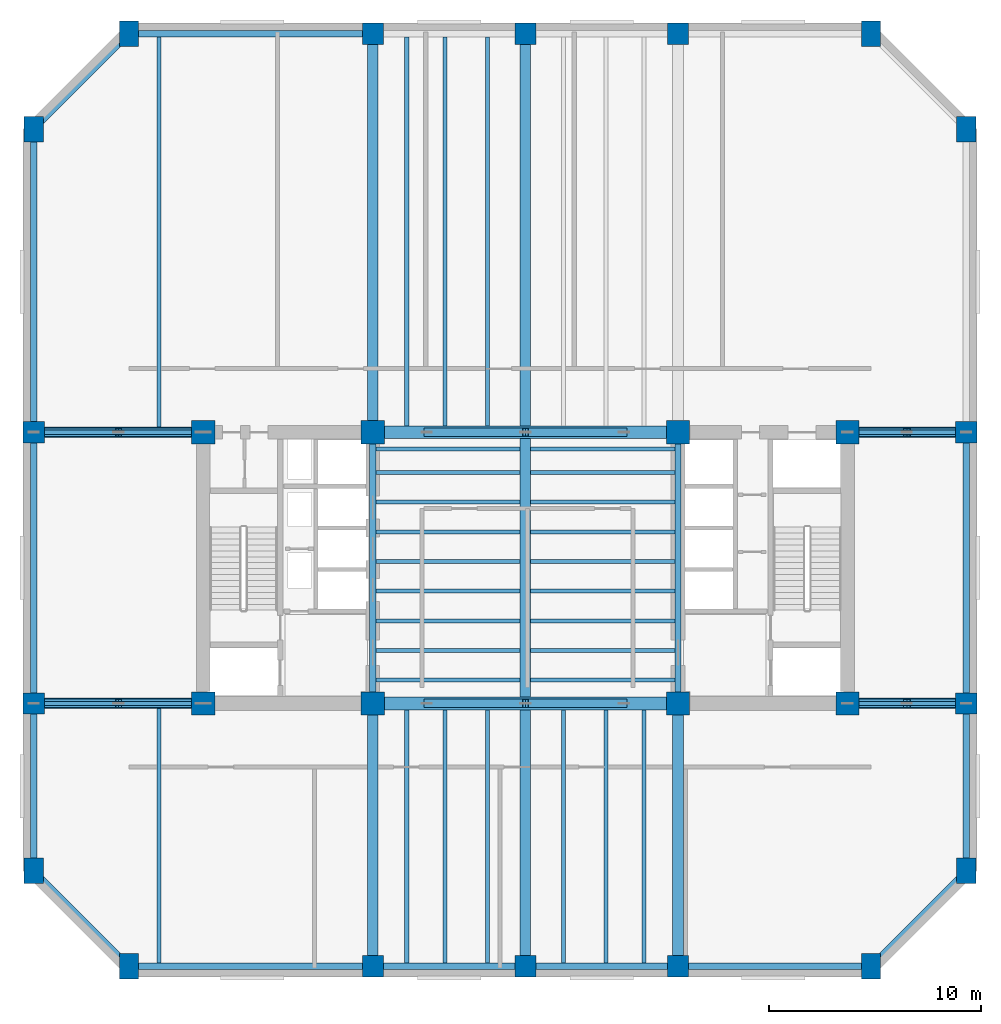
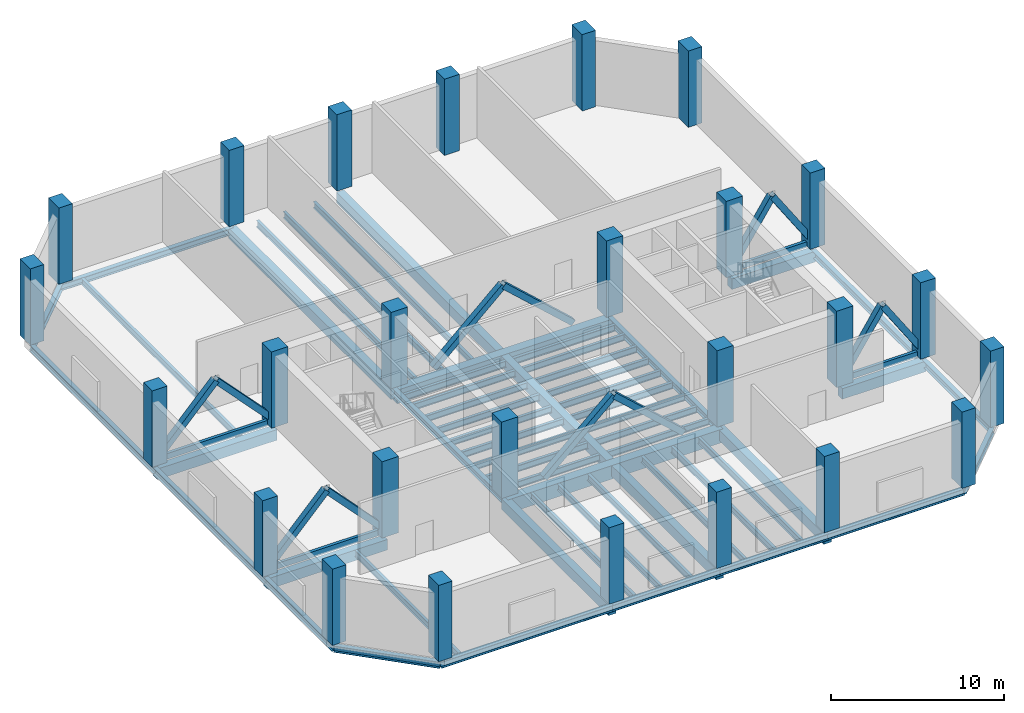
# One storey, part 1 of 9: 56 beams, 26 columns, 16 members.
"""IFC4 building model written with IfcOpenShell, lengths in metres."""

from ifc_helpers import new_model, si_unit, direction, frame, origin, origin_2d, place, context, subcontext, project, spatial, rectangle, hollow_rectangle, i_section, extrude, material, material_profile, profile_set, type_object, element, save


model = new_model("IFC4")

# Units and contexts
model_context = context("Model", 3, precision=1e-05, world=origin(), true_north=direction((0.0, 1.0)))
body_context = subcontext(model_context, "Body", "Model", "MODEL_VIEW")
ifc_project = project(units=[si_unit("LENGTHUNIT", "METRE"), si_unit("AREAUNIT", "SQUARE_METRE"), si_unit("VOLUMEUNIT", "CUBIC_METRE"), si_unit("PLANEANGLEUNIT", "RADIAN"), si_unit("MASSUNIT", "GRAM", prefix="KILO")], contexts=[model_context])

# Site, building, storey
site_placement = place(None, origin())
site = spatial("IfcSite", under=ifc_project, at=site_placement, CompositionType="ELEMENT")
building_placement = place(site_placement, origin())
building = spatial("IfcBuilding", under=site, at=building_placement, Name="Kranthara Brick Stack", CompositionType="ELEMENT")
storey_placement = place(building_placement, frame((0.0, 0.0, 110.10009765625)))
storey = spatial("IfcBuildingStorey", under=building, at=storey_placement, Name="L27", CompositionType="ELEMENT", Elevation=110.10009765625)

# Columns
ifc_material_1 = material(Name="Concrete C70/85", Category="concrete")
ifc_material_profile_1 = material_profile(ifc_material_1, rectangle(XDim=0.89990234375, YDim=1.199951171875, at=origin_2d()), Name="RC 900x1200")
ifc_profile_set_1 = profile_set([ifc_material_profile_1], Name="Concrete C70/85")
column_type_1 = type_object("IfcColumnType", Name="COL-CHAM-900x1200", PredefinedType="COLUMN", material=ifc_profile_set_1)
for number, where, z_axis, x_axis, name in (
    (1, (9.300048828125, 8.39990234375, 0.0), (0.0, 0.0, 1.0), (1.0, 0.0, 0.0), "L27 Column 09"),
    (2, (9.300048828125, 52.39990234375, 0.0), (0.0, 0.0, 1.0), (1.0, 0.0, 0.0), "L27 Column 10"),
    (3, (44.300048828125, 8.39990234375, 0.0), (0.0, 0.0, 1.0), (1.0, 0.0, 0.0), "L27 Column 17"),
    (4, (44.300048828125, 52.39990234375, 0.0), (0.0, 0.0, 1.0), (1.0, 0.0, 0.0), "L27 Column 18"),
    (5, (4.800048828125, 12.89990234375, 0.0), (0.0, 0.0, 1.0), (1.0, 0.0, 0.0), "L27 Column 19"),
    (6, (48.800048828125, 12.89990234375, 0.0), (0.0, 0.0, 1.0), (1.0, 0.0, 0.0), "L27 Column 20"),
    (7, (4.800048828125, 47.89990234375, 0.0), (0.0, 0.0, 1.0), (1.0, 0.0, 0.0), "L27 Column 25"),
    (8, (48.800048828125, 47.89990234375, 0.0), (0.0, 0.0, 1.0), (1.0, 0.0, 0.0), "L27 Column 26"),
):
    element("IfcColumn", number, at=place(storey_placement, frame(where, z_axis=z_axis, x_axis=x_axis)), inside=storey, type_object=column_type_1, Name=name, PredefinedType="COLUMN", context=body_context, shape_type="SweptSolid", body=[
        extrude(rectangle(XDim=0.89990234375, YDim=1.199951171875, at=origin_2d()), origin(), (0.0, 0.0, 1.0), 5.39990234375),
    ])
ifc_material_2 = material(Name="Concrete C70/85", Category="concrete")
ifc_material_profile_2 = material_profile(ifc_material_2, rectangle(XDim=1.10009765625, YDim=1.10009765625, at=origin_2d()), Name="RC 1100x1100")
ifc_profile_set_2 = profile_set([ifc_material_profile_2], Name="Concrete C70/85")
column_type_2 = type_object("IfcColumnType", Name="COL-CORE-1100", PredefinedType="COLUMN", material=ifc_profile_set_2)
for number, where, z_axis, x_axis, name in (
    (9, (12.800048828125, 20.800048828125, 0.0), (0.0, 0.0, 1.0), (1.0, 0.0, 0.0), "L27 Column 01"),
    (10, (20.800048828125, 20.800048828125, 0.0), (0.0, 0.0, 1.0), (1.0, 0.0, 0.0), "L27 Column 02"),
    (11, (12.800048828125, 33.60009765625, 0.0), (0.0, 0.0, 1.0), (1.0, 0.0, 0.0), "L27 Column 03"),
    (12, (20.800048828125, 33.60009765625, 0.0), (0.0, 0.0, 1.0), (1.0, 0.0, 0.0), "L27 Column 04"),
    (13, (35.199951171875, 20.800048828125, 0.0), (0.0, 0.0, 1.0), (1.0, 0.0, 0.0), "L27 Column 05"),
    (14, (43.199951171875, 20.800048828125, 0.0), (0.0, 0.0, 1.0), (1.0, 0.0, 0.0), "L27 Column 06"),
    (15, (35.199951171875, 33.60009765625, 0.0), (0.0, 0.0, 1.0), (1.0, 0.0, 0.0), "L27 Column 07"),
    (16, (43.199951171875, 33.60009765625, 0.0), (0.0, 0.0, 1.0), (1.0, 0.0, 0.0), "L27 Column 08"),
):
    element("IfcColumn", number, at=place(storey_placement, frame(where, z_axis=z_axis, x_axis=x_axis)), inside=storey, type_object=column_type_2, Name=name, PredefinedType="COLUMN", context=body_context, shape_type="SweptSolid", body=[
        extrude(rectangle(XDim=1.10009765625, YDim=1.10009765625, at=origin_2d()), origin(), (0.0, 0.0, 1.0), 5.39990234375),
    ])
ifc_material_3 = material(Name="Concrete C60/75", Category="concrete")
ifc_material_profile_3 = material_profile(ifc_material_3, rectangle(XDim=1.0, YDim=1.0, at=origin_2d()), Name="RC 1000x1000")
ifc_profile_set_3 = profile_set([ifc_material_profile_3], Name="Concrete C60/75")
column_type_3 = type_object("IfcColumnType", Name="COL-PER-1000", PredefinedType="COLUMN", material=ifc_profile_set_3)
for number, where, z_axis, x_axis, name in (
    (17, (20.800048828125, 8.39990234375, 0.0), (0.0, 0.0, 1.0), (1.0, 0.0, 0.0), "L27 Column 11"),
    (18, (20.800048828125, 52.39990234375, 0.0), (0.0, 0.0, 1.0), (1.0, 0.0, 0.0), "L27 Column 12"),
    (19, (28.0, 8.39990234375, 0.0), (0.0, 0.0, 1.0), (1.0, 0.0, 0.0), "L27 Column 13"),
    (20, (28.0, 52.39990234375, 0.0), (0.0, 0.0, 1.0), (1.0, 0.0, 0.0), "L27 Column 14"),
    (21, (35.199951171875, 8.39990234375, 0.0), (0.0, 0.0, 1.0), (1.0, 0.0, 0.0), "L27 Column 15"),
    (22, (35.199951171875, 52.39990234375, 0.0), (0.0, 0.0, 1.0), (1.0, 0.0, 0.0), "L27 Column 16"),
    (23, (4.800048828125, 20.800048828125, 0.0), (0.0, 0.0, 1.0), (1.0, 0.0, 0.0), "L27 Column 21"),
    (24, (48.800048828125, 20.800048828125, 0.0), (0.0, 0.0, 1.0), (1.0, 0.0, 0.0), "L27 Column 22"),
    (25, (4.800048828125, 33.60009765625, 0.0), (0.0, 0.0, 1.0), (1.0, 0.0, 0.0), "L27 Column 23"),
    (26, (48.800048828125, 33.60009765625, 0.0), (0.0, 0.0, 1.0), (1.0, 0.0, 0.0), "L27 Column 24"),
):
    element("IfcColumn", number, at=place(storey_placement, frame(where, z_axis=z_axis, x_axis=x_axis)), inside=storey, type_object=column_type_3, Name=name, PredefinedType="COLUMN", context=body_context, shape_type="SweptSolid", body=[
        extrude(rectangle(XDim=1.0, YDim=1.0, at=origin_2d()), origin(), (0.0, 0.0, 1.0), 5.39990234375),
    ])

# Beams
ifc_material_4 = material(Name="Concrete C60/75", Category="concrete")
ifc_material_profile_4 = material_profile(ifc_material_4, rectangle(XDim=0.60009765625, YDim=0.949951171875, at=origin_2d()), Name="RC 600x950")
ifc_profile_set_4 = profile_set([ifc_material_profile_4], Name="Concrete C60/75")
beam_type_1 = type_object("IfcBeamType", Name="BM-CPL-RC950", PredefinedType="LINTEL", material=ifc_profile_set_4)
for number, where, z_axis, x_axis, name in (
    (27, (20.800048828125, 20.800048828125, -0.925048828125), (1.0, 0.0, 0.0), (0.0, 1.0, 0.0), "L27 Core Coupling Beam 001"),
    (28, (20.800048828125, 33.60009765625, -0.925048828125), (1.0, 0.0, 0.0), (0.0, 1.0, 0.0), "L27 Core Coupling Beam 002"),
):
    element("IfcBeam", number, at=place(storey_placement, frame(where, z_axis=z_axis, x_axis=x_axis)), inside=storey, type_object=beam_type_1, Name=name, PredefinedType="LINTEL", context=body_context, shape_type="SweptSolid", body=[
        extrude(rectangle(XDim=0.60009765625, YDim=0.949951171875, at=origin_2d()), origin(), (0.0, 0.0, 1.0), 14.39990234375),
    ])
ifc_material_5 = material(Name="Post-tensioned concrete C45/55", Category="concrete")
ifc_material_profile_5 = material_profile(ifc_material_5, rectangle(XDim=0.5, YDim=0.75, at=origin_2d()), Name="PT 500x750")
ifc_profile_set_5 = profile_set([ifc_material_profile_5], Name="Post-tensioned concrete C45/55")
beam_type_2 = type_object("IfcBeamType", Name="BM-FLR-PT750", PredefinedType="BEAM", material=ifc_profile_set_5)
beam_1_placement = place(storey_placement, frame((20.800048828125, 8.39990234375, -0.8251953125), z_axis=(0.0, 1.0, 0.0), x_axis=(-1.0, 0.0, 0.0)))
element("IfcBeam", 29, at=beam_1_placement, inside=storey, type_object=beam_type_2, Name="L27 Primary Grid Girder 023", PredefinedType="BEAM", context=body_context, shape_type="SweptSolid", body=[
    extrude(rectangle(XDim=0.5, YDim=0.75, at=origin_2d()), origin(), (0.0, 0.0, 1.0), 12.400146484375),
])
beam_2_placement = place(storey_placement, frame((20.800048828125, 33.60009765625, -0.8251953125), z_axis=(0.0, 1.0, 0.0), x_axis=(-1.0, 0.0, 0.0)))
element("IfcBeam", 30, at=beam_2_placement, inside=storey, type_object=beam_type_2, Name="L27 Primary Grid Girder 024", PredefinedType="BEAM", context=body_context, shape_type="SweptSolid", body=[
    extrude(rectangle(XDim=0.5, YDim=0.75, at=origin_2d()), origin(), (0.0, 0.0, 1.0), 18.7998046875),
])
beam_3_placement = place(storey_placement, frame((28.0, 8.39990234375, -0.8251953125), z_axis=(0.0, 1.0, 0.0), x_axis=(-1.0, 0.0, 0.0)))
element("IfcBeam", 31, at=beam_3_placement, inside=storey, type_object=beam_type_2, Name="L27 Primary Grid Girder 025", PredefinedType="BEAM", context=body_context, shape_type="SweptSolid", body=[
    extrude(rectangle(XDim=0.5, YDim=0.75, at=origin_2d()), origin(), (0.0, 0.0, 1.0), 12.10009765625),
])
beam_4_placement = place(storey_placement, frame((28.0, 21.10009765625, -0.8251953125), z_axis=(0.0, 1.0, 0.0), x_axis=(-1.0, 0.0, 0.0)))
element("IfcBeam", 32, at=beam_4_placement, inside=storey, type_object=beam_type_2, Name="L27 Central Spine Girder 026", PredefinedType="BEAM", context=body_context, shape_type="SweptSolid", body=[
    extrude(rectangle(XDim=0.5, YDim=0.75, at=origin_2d()), origin(), (0.0, 0.0, 1.0), 12.199951171875),
])
beam_5_placement = place(storey_placement, frame((28.0, 33.89990234375, -0.8251953125), z_axis=(0.0, 1.0, 0.0), x_axis=(-1.0, 0.0, 0.0)))
element("IfcBeam", 33, at=beam_5_placement, inside=storey, type_object=beam_type_2, Name="L27 Primary Grid Girder 027", PredefinedType="BEAM", context=body_context, shape_type="SweptSolid", body=[
    extrude(rectangle(XDim=0.5, YDim=0.75, at=origin_2d()), origin(), (0.0, 0.0, 1.0), 18.5),
])
beam_6_placement = place(storey_placement, frame((35.199951171875, 8.39990234375, -0.8251953125), z_axis=(0.0, 1.0, 0.0), x_axis=(-1.0, 0.0, 0.0)))
element("IfcBeam", 34, at=beam_6_placement, inside=storey, type_object=beam_type_2, Name="L27 Primary Grid Girder 028", PredefinedType="BEAM", context=body_context, shape_type="SweptSolid", body=[
    extrude(rectangle(XDim=0.5, YDim=0.75, at=origin_2d()), origin(), (0.0, 0.0, 1.0), 12.400146484375),
])
beam_7_placement = place(storey_placement, frame((4.800048828125, 20.800048828125, -0.8251953125), z_axis=(1.0, 0.0, 0.0), x_axis=(0.0, 1.0, 0.0)))
element("IfcBeam", 35, at=beam_7_placement, inside=storey, type_object=beam_type_2, Name="L27 Primary Grid Girder 030", PredefinedType="BEAM", context=body_context, shape_type="SweptSolid", body=[
    extrude(rectangle(XDim=0.5, YDim=0.75, at=origin_2d()), origin(), (0.0, 0.0, 1.0), 8.0),
])
beam_8_placement = place(storey_placement, frame((43.199951171875, 20.800048828125, -0.8251953125), z_axis=(1.0, 0.0, 0.0), x_axis=(0.0, 1.0, 0.0)))
element("IfcBeam", 36, at=beam_8_placement, inside=storey, type_object=beam_type_2, Name="L27 Primary Grid Girder 031", PredefinedType="BEAM", context=body_context, shape_type="SweptSolid", body=[
    extrude(rectangle(XDim=0.5, YDim=0.75, at=origin_2d()), origin(), (0.0, 0.0, 1.0), 5.60009765625),
])
beam_9_placement = place(storey_placement, frame((4.800048828125, 33.60009765625, -0.8251953125), z_axis=(1.0, 0.0, 0.0), x_axis=(0.0, 1.0, 0.0)))
element("IfcBeam", 37, at=beam_9_placement, inside=storey, type_object=beam_type_2, Name="L27 Primary Grid Girder 032", PredefinedType="BEAM", context=body_context, shape_type="SweptSolid", body=[
    extrude(rectangle(XDim=0.5, YDim=0.75, at=origin_2d()), origin(), (0.0, 0.0, 1.0), 8.0),
])
beam_10_placement = place(storey_placement, frame((43.199951171875, 33.60009765625, -0.8251953125), z_axis=(1.0, 0.0, 0.0), x_axis=(0.0, 1.0, 0.0)))
element("IfcBeam", 38, at=beam_10_placement, inside=storey, type_object=beam_type_2, Name="L27 Primary Grid Girder 033", PredefinedType="BEAM", context=body_context, shape_type="SweptSolid", body=[
    extrude(rectangle(XDim=0.5, YDim=0.75, at=origin_2d()), origin(), (0.0, 0.0, 1.0), 5.60009765625),
])
ifc_material_6 = material(Name="Steel S355", Category="steel")
ifc_material_profile_6 = material_profile(ifc_material_6, i_section(OverallWidth=0.18994140625, OverallDepth=0.449951171875, WebThickness=0.009521484375, FlangeThickness=0.0146484375, at=origin_2d()), Name="IPE 450")
ifc_profile_set_6 = profile_set([ifc_material_profile_6], Name="Steel S355")
beam_type_3 = type_object("IfcBeamType", Name="BM-JST-IPE450", PredefinedType="JOIST", material=ifc_profile_set_6)
for number, where, z_axis, x_axis, name in (
    (39, (20.949951171875, 21.89990234375, -0.675048828125), (1.0, 0.0, 0.0), (0.0, 1.0, 0.0), "L27 Central Floor Joist 034"),
    (40, (28.25, 21.89990234375, -0.675048828125), (1.0, 0.0, 0.0), (0.0, 1.0, 0.0), "L27 Central Floor Joist 035"),
    (41, (20.949951171875, 23.300048828125, -0.675048828125), (1.0, 0.0, 0.0), (0.0, 1.0, 0.0), "L27 Central Floor Joist 036"),
    (42, (28.25, 23.300048828125, -0.675048828125), (1.0, 0.0, 0.0), (0.0, 1.0, 0.0), "L27 Central Floor Joist 037"),
    (43, (20.949951171875, 24.699951171875, -0.675048828125), (1.0, 0.0, 0.0), (0.0, 1.0, 0.0), "L27 Central Floor Joist 038"),
    (44, (28.25, 24.699951171875, -0.675048828125), (1.0, 0.0, 0.0), (0.0, 1.0, 0.0), "L27 Central Floor Joist 039"),
    (45, (20.949951171875, 26.10009765625, -0.675048828125), (1.0, 0.0, 0.0), (0.0, 1.0, 0.0), "L27 Central Floor Joist 040"),
    (46, (28.25, 26.10009765625, -0.675048828125), (1.0, 0.0, 0.0), (0.0, 1.0, 0.0), "L27 Central Floor Joist 041"),
    (47, (20.949951171875, 27.5, -0.675048828125), (1.0, 0.0, 0.0), (0.0, 1.0, 0.0), "L27 Central Floor Joist 042"),
    (48, (28.25, 27.5, -0.675048828125), (1.0, 0.0, 0.0), (0.0, 1.0, 0.0), "L27 Central Floor Joist 043"),
    (49, (20.949951171875, 28.89990234375, -0.675048828125), (1.0, 0.0, 0.0), (0.0, 1.0, 0.0), "L27 Central Floor Joist 044"),
    (50, (28.25, 28.89990234375, -0.675048828125), (1.0, 0.0, 0.0), (0.0, 1.0, 0.0), "L27 Central Floor Joist 045"),
    (51, (20.949951171875, 30.300048828125, -0.675048828125), (1.0, 0.0, 0.0), (0.0, 1.0, 0.0), "L27 Central Floor Joist 046"),
    (52, (28.25, 30.300048828125, -0.675048828125), (1.0, 0.0, 0.0), (0.0, 1.0, 0.0), "L27 Central Floor Joist 047"),
    (53, (20.949951171875, 31.699951171875, -0.675048828125), (1.0, 0.0, 0.0), (0.0, 1.0, 0.0), "L27 Central Floor Joist 048"),
    (54, (28.25, 31.699951171875, -0.675048828125), (1.0, 0.0, 0.0), (0.0, 1.0, 0.0), "L27 Central Floor Joist 049"),
    (55, (20.949951171875, 32.800048828125, -0.675048828125), (1.0, 0.0, 0.0), (0.0, 1.0, 0.0), "L27 Central Floor Joist 050"),
    (56, (28.25, 32.800048828125, -0.675048828125), (1.0, 0.0, 0.0), (0.0, 1.0, 0.0), "L27 Central Floor Joist 051"),
):
    element("IfcBeam", number, at=place(storey_placement, frame(where, z_axis=z_axis, x_axis=x_axis)), inside=storey, type_object=beam_type_3, Name=name, PredefinedType="JOIST", context=body_context, shape_type="SweptSolid", body=[
        extrude(i_section(OverallWidth=0.18994140625, OverallDepth=0.449951171875, WebThickness=0.009521484375, FlangeThickness=0.0146484375, at=origin_2d()), origin(), (0.0, 0.0, 1.0), 6.800048828125),
    ])
beam_11_placement = place(storey_placement, frame((10.699951171875, 8.550048828125, -0.675048828125), z_axis=(0.0, 1.0, 0.0), x_axis=(-1.0, 0.0, 0.0)))
element("IfcBeam", 57, at=beam_11_placement, inside=storey, type_object=beam_type_3, Name="L27 South Wing Floor Joist 052", PredefinedType="JOIST", context=body_context, shape_type="SweptSolid", body=[
    extrude(i_section(OverallWidth=0.18994140625, OverallDepth=0.449951171875, WebThickness=0.009521484375, FlangeThickness=0.0146484375, at=origin_2d()), origin(), (0.0, 0.0, 1.0), 12.0),
])
beam_12_placement = place(storey_placement, frame((10.699951171875, 33.85009765625, -0.675048828125), z_axis=(0.0, 1.0, 0.0), x_axis=(-1.0, 0.0, 0.0)))
element("IfcBeam", 58, at=beam_12_placement, inside=storey, type_object=beam_type_3, Name="L27 North Wing Floor Joist 053", PredefinedType="JOIST", context=body_context, shape_type="SweptSolid", body=[
    extrude(i_section(OverallWidth=0.18994140625, OverallDepth=0.449951171875, WebThickness=0.009521484375, FlangeThickness=0.0146484375, at=origin_2d()), origin(), (0.0, 0.0, 1.0), 18.39990234375),
])
beam_13_placement = place(storey_placement, frame((22.39990234375, 8.550048828125, -0.675048828125), z_axis=(0.0, 1.0, 0.0), x_axis=(-1.0, 0.0, 0.0)))
element("IfcBeam", 59, at=beam_13_placement, inside=storey, type_object=beam_type_3, Name="L27 South Wing Floor Joist 054", PredefinedType="JOIST", context=body_context, shape_type="SweptSolid", body=[
    extrude(i_section(OverallWidth=0.18994140625, OverallDepth=0.449951171875, WebThickness=0.009521484375, FlangeThickness=0.0146484375, at=origin_2d()), origin(), (0.0, 0.0, 1.0), 11.949951171875),
])
beam_14_placement = place(storey_placement, frame((22.39990234375, 33.89990234375, -0.675048828125), z_axis=(0.0, 1.0, 0.0), x_axis=(-1.0, 0.0, 0.0)))
element("IfcBeam", 60, at=beam_14_placement, inside=storey, type_object=beam_type_3, Name="L27 North Wing Floor Joist 055", PredefinedType="JOIST", context=body_context, shape_type="SweptSolid", body=[
    extrude(i_section(OverallWidth=0.18994140625, OverallDepth=0.449951171875, WebThickness=0.009521484375, FlangeThickness=0.0146484375, at=origin_2d()), origin(), (0.0, 0.0, 1.0), 18.35009765625),
])
beam_15_placement = place(storey_placement, frame((24.199951171875, 8.550048828125, -0.675048828125), z_axis=(0.0, 1.0, 0.0), x_axis=(-1.0, 0.0, 0.0)))
element("IfcBeam", 61, at=beam_15_placement, inside=storey, type_object=beam_type_3, Name="L27 South Wing Floor Joist 056", PredefinedType="JOIST", context=body_context, shape_type="SweptSolid", body=[
    extrude(i_section(OverallWidth=0.18994140625, OverallDepth=0.449951171875, WebThickness=0.009521484375, FlangeThickness=0.0146484375, at=origin_2d()), origin(), (0.0, 0.0, 1.0), 11.949951171875),
])
beam_16_placement = place(storey_placement, frame((24.199951171875, 33.89990234375, -0.675048828125), z_axis=(0.0, 1.0, 0.0), x_axis=(-1.0, 0.0, 0.0)))
element("IfcBeam", 62, at=beam_16_placement, inside=storey, type_object=beam_type_3, Name="L27 North Wing Floor Joist 057", PredefinedType="JOIST", context=body_context, shape_type="SweptSolid", body=[
    extrude(i_section(OverallWidth=0.18994140625, OverallDepth=0.449951171875, WebThickness=0.009521484375, FlangeThickness=0.0146484375, at=origin_2d()), origin(), (0.0, 0.0, 1.0), 18.35009765625),
])
beam_17_placement = place(storey_placement, frame((26.199951171875, 8.550048828125, -0.675048828125), z_axis=(0.0, 1.0, 0.0), x_axis=(-1.0, 0.0, 0.0)))
element("IfcBeam", 63, at=beam_17_placement, inside=storey, type_object=beam_type_3, Name="L27 South Wing Floor Joist 058", PredefinedType="JOIST", context=body_context, shape_type="SweptSolid", body=[
    extrude(i_section(OverallWidth=0.18994140625, OverallDepth=0.449951171875, WebThickness=0.009521484375, FlangeThickness=0.0146484375, at=origin_2d()), origin(), (0.0, 0.0, 1.0), 11.949951171875),
])
beam_18_placement = place(storey_placement, frame((26.199951171875, 33.89990234375, -0.675048828125), z_axis=(0.0, 1.0, 0.0), x_axis=(-1.0, 0.0, 0.0)))
element("IfcBeam", 64, at=beam_18_placement, inside=storey, type_object=beam_type_3, Name="L27 North Wing Floor Joist 059", PredefinedType="JOIST", context=body_context, shape_type="SweptSolid", body=[
    extrude(i_section(OverallWidth=0.18994140625, OverallDepth=0.449951171875, WebThickness=0.009521484375, FlangeThickness=0.0146484375, at=origin_2d()), origin(), (0.0, 0.0, 1.0), 18.35009765625),
])
for number, where, z_axis, x_axis, name in (
    (65, (29.800048828125, 8.550048828125, -0.675048828125), (0.0, 1.0, 0.0), (-1.0, 0.0, 0.0), "L27 South Wing Floor Joist 060"),
    (66, (31.800048828125, 8.550048828125, -0.675048828125), (0.0, 1.0, 0.0), (-1.0, 0.0, 0.0), "L27 South Wing Floor Joist 062"),
    (67, (33.60009765625, 8.550048828125, -0.675048828125), (0.0, 1.0, 0.0), (-1.0, 0.0, 0.0), "L27 South Wing Floor Joist 064"),
):
    element("IfcBeam", number, at=place(storey_placement, frame(where, z_axis=z_axis, x_axis=x_axis)), inside=storey, type_object=beam_type_3, Name=name, PredefinedType="JOIST", context=body_context, shape_type="SweptSolid", body=[
        extrude(i_section(OverallWidth=0.18994140625, OverallDepth=0.449951171875, WebThickness=0.009521484375, FlangeThickness=0.0146484375, at=origin_2d()), origin(), (0.0, 0.0, 1.0), 11.949951171875),
    ])
ifc_material_7 = material(Name="Steel S355", Category="steel")
ifc_material_profile_7 = material_profile(ifc_material_7, i_section(OverallWidth=0.300048828125, OverallDepth=0.449951171875, WebThickness=0.013916015625, FlangeThickness=0.02587890625, at=origin_2d()), Name="HEB 450")
ifc_profile_set_7 = profile_set([ifc_material_profile_7], Name="Steel S355")
beam_type_4 = type_object("IfcBeamType", Name="BM-STL-HEB450", PredefinedType="SPANDREL", material=ifc_profile_set_7)
for number, where, z_axis, x_axis, name in (
    (68, (20.800048828125, 20.800048828125, -0.675048828125), (0.0, 1.0, 0.0), (-1.0, 0.0, 0.0), "L27 Core Edge Tie Beam 003"),
    (69, (35.199951171875, 20.800048828125, -0.675048828125), (0.0, 1.0, 0.0), (-1.0, 0.0, 0.0), "L27 Core Edge Tie Beam 004"),
):
    element("IfcBeam", number, at=place(storey_placement, frame(where, z_axis=z_axis, x_axis=x_axis)), inside=storey, type_object=beam_type_4, Name=name, PredefinedType="SPANDREL", context=body_context, shape_type="SweptSolid", body=[
        extrude(i_section(OverallWidth=0.300048828125, OverallDepth=0.449951171875, WebThickness=0.013916015625, FlangeThickness=0.02587890625, at=origin_2d()), origin(), (0.0, 0.0, 1.0), 12.800048828125),
    ])
beam_19_placement = place(storey_placement, frame((9.300048828125, 8.39990234375, -0.675048828125), z_axis=(1.0, 0.0, 0.0), x_axis=(0.0, 1.0, 0.0)))
element("IfcBeam", 70, at=beam_19_placement, inside=storey, type_object=beam_type_4, Name="L27 Perimeter Spandrel Beam 005", PredefinedType="SPANDREL", context=body_context, shape_type="SweptSolid", body=[
    extrude(i_section(OverallWidth=0.300048828125, OverallDepth=0.449951171875, WebThickness=0.013916015625, FlangeThickness=0.02587890625, at=origin_2d()), origin(), (0.0, 0.0, 1.0), 11.5),
])
for number, where, z_axis, x_axis, name in (
    (71, (20.800048828125, 8.39990234375, -0.675048828125), (1.0, 0.0, 0.0), (0.0, 1.0, 0.0), "L27 Perimeter Spandrel Beam 006"),
    (72, (28.0, 8.39990234375, -0.675048828125), (1.0, 0.0, 0.0), (0.0, 1.0, 0.0), "L27 Perimeter Spandrel Beam 007"),
):
    element("IfcBeam", number, at=place(storey_placement, frame(where, z_axis=z_axis, x_axis=x_axis)), inside=storey, type_object=beam_type_4, Name=name, PredefinedType="SPANDREL", context=body_context, shape_type="SweptSolid", body=[
        extrude(i_section(OverallWidth=0.300048828125, OverallDepth=0.449951171875, WebThickness=0.013916015625, FlangeThickness=0.02587890625, at=origin_2d()), origin(), (0.0, 0.0, 1.0), 7.199951171875),
    ])
beam_20_placement = place(storey_placement, frame((35.199951171875, 8.39990234375, -0.675048828125), z_axis=(1.0, 0.0, 0.0), x_axis=(0.0, 1.0, 0.0)))
element("IfcBeam", 73, at=beam_20_placement, inside=storey, type_object=beam_type_4, Name="L27 Perimeter Spandrel Beam 008", PredefinedType="SPANDREL", context=body_context, shape_type="SweptSolid", body=[
    extrude(i_section(OverallWidth=0.300048828125, OverallDepth=0.449951171875, WebThickness=0.013916015625, FlangeThickness=0.02587890625, at=origin_2d()), origin(), (0.0, 0.0, 1.0), 9.10009765625),
])
beam_21_placement = place(storey_placement, frame((9.300048828125, 52.39990234375, -0.675048828125), z_axis=(1.0, 0.0, 0.0), x_axis=(0.0, 1.0, 0.0)))
element("IfcBeam", 74, at=beam_21_placement, inside=storey, type_object=beam_type_4, Name="L27 Perimeter Spandrel Beam 009", PredefinedType="SPANDREL", context=body_context, shape_type="SweptSolid", body=[
    extrude(i_section(OverallWidth=0.300048828125, OverallDepth=0.449951171875, WebThickness=0.013916015625, FlangeThickness=0.02587890625, at=origin_2d()), origin(), (0.0, 0.0, 1.0), 11.5),
])
beam_22_placement = place(storey_placement, frame((4.800048828125, 12.89990234375, -0.675048828125), z_axis=(0.0, 1.0, 0.0), x_axis=(-1.0, 0.0, 0.0)))
element("IfcBeam", 75, at=beam_22_placement, inside=storey, type_object=beam_type_4, Name="L27 Perimeter Spandrel Beam 013", PredefinedType="SPANDREL", context=body_context, shape_type="SweptSolid", body=[
    extrude(i_section(OverallWidth=0.300048828125, OverallDepth=0.449951171875, WebThickness=0.013916015625, FlangeThickness=0.02587890625, at=origin_2d()), origin(), (0.0, 0.0, 1.0), 7.900146484375),
])
beam_23_placement = place(storey_placement, frame((4.800048828125, 20.800048828125, -0.675048828125), z_axis=(0.0, 1.0, 0.0), x_axis=(-1.0, 0.0, 0.0)))
element("IfcBeam", 76, at=beam_23_placement, inside=storey, type_object=beam_type_4, Name="L27 Perimeter Spandrel Beam 014", PredefinedType="SPANDREL", context=body_context, shape_type="SweptSolid", body=[
    extrude(i_section(OverallWidth=0.300048828125, OverallDepth=0.449951171875, WebThickness=0.013916015625, FlangeThickness=0.02587890625, at=origin_2d()), origin(), (0.0, 0.0, 1.0), 12.800048828125),
])
beam_24_placement = place(storey_placement, frame((4.800048828125, 33.60009765625, -0.675048828125), z_axis=(0.0, 1.0, 0.0), x_axis=(-1.0, 0.0, 0.0)))
element("IfcBeam", 77, at=beam_24_placement, inside=storey, type_object=beam_type_4, Name="L27 Perimeter Spandrel Beam 015", PredefinedType="SPANDREL", context=body_context, shape_type="SweptSolid", body=[
    extrude(i_section(OverallWidth=0.300048828125, OverallDepth=0.449951171875, WebThickness=0.013916015625, FlangeThickness=0.02587890625, at=origin_2d()), origin(), (0.0, 0.0, 1.0), 14.2998046875),
])
beam_25_placement = place(storey_placement, frame((48.800048828125, 12.89990234375, -0.675048828125), z_axis=(0.0, 1.0, 0.0), x_axis=(-1.0, 0.0, 0.0)))
element("IfcBeam", 78, at=beam_25_placement, inside=storey, type_object=beam_type_4, Name="L27 Perimeter Spandrel Beam 016", PredefinedType="SPANDREL", context=body_context, shape_type="SweptSolid", body=[
    extrude(i_section(OverallWidth=0.300048828125, OverallDepth=0.449951171875, WebThickness=0.013916015625, FlangeThickness=0.02587890625, at=origin_2d()), origin(), (0.0, 0.0, 1.0), 7.900146484375),
])
beam_26_placement = place(storey_placement, frame((48.800048828125, 20.800048828125, -0.675048828125), z_axis=(0.0, 1.0, 0.0), x_axis=(-1.0, 0.0, 0.0)))
element("IfcBeam", 79, at=beam_26_placement, inside=storey, type_object=beam_type_4, Name="L27 Perimeter Spandrel Beam 017", PredefinedType="SPANDREL", context=body_context, shape_type="SweptSolid", body=[
    extrude(i_section(OverallWidth=0.300048828125, OverallDepth=0.449951171875, WebThickness=0.013916015625, FlangeThickness=0.02587890625, at=origin_2d()), origin(), (0.0, 0.0, 1.0), 12.800048828125),
])
for number, where, z_axis, x_axis, name in (
    (80, (9.300048828125, 8.39990234375, -0.675048828125), (-0.707106781187, 0.707106781187, 0.0), (-0.707106781187, -0.707106781187, 0.0), "L27 Chamfer Corner Spandrel 019"),
    (81, (44.300048828125, 8.39990234375, -0.675048828125), (0.707106781187, 0.707106781187, 0.0), (-0.707106781187, 0.707106781187, 0.0), "L27 Chamfer Corner Spandrel 020"),
    (82, (9.300048828125, 52.39990234375, -0.675048828125), (-0.707106781187, -0.707106781187, 0.0), (0.707106781187, -0.707106781187, 0.0), "L27 Chamfer Corner Spandrel 021"),
):
    element("IfcBeam", number, at=place(storey_placement, frame(where, z_axis=z_axis, x_axis=x_axis)), inside=storey, type_object=beam_type_4, Name=name, PredefinedType="SPANDREL", context=body_context, shape_type="SweptSolid", body=[
        extrude(i_section(OverallWidth=0.300048828125, OverallDepth=0.449951171875, WebThickness=0.013916015625, FlangeThickness=0.02587890625, at=origin_2d()), origin(), (0.0, 0.0, 1.0), 6.364013671875),
    ])

# Members
ifc_material_8 = material(Name="Steel S460", Category="steel")
ifc_material_profile_8 = material_profile(ifc_material_8, hollow_rectangle(XDim=0.39990234375, YDim=0.39990234375, WallThickness=0.02001953125, at=origin_2d()), Name="SHS 400x400x20")
ifc_profile_set_8 = profile_set([ifc_material_profile_8], Name="Steel S460")
member_type_1 = type_object("IfcMemberType", Name="MB-BRC-SHS400", PredefinedType="BRACE", material=ifc_profile_set_8)
for number, where, z_axis, x_axis, name in (
    (83, (12.800048828125, 20.800048828125, 0.099853515625), (-0.686221263148, 0.0, 0.727392863592), (0.0, -1.0, 0.0), "L27 Outrigger Truss Diagonal 01"),
    (84, (12.800048828125, 33.60009765625, 0.099853515625), (-0.686221263148, 0.0, 0.727392863592), (0.0, -1.0, 0.0), "L27 Outrigger Truss Diagonal 02"),
):
    element("IfcMember", number, at=place(storey_placement, frame(where, z_axis=z_axis, x_axis=x_axis)), inside=storey, type_object=member_type_1, Name=name, PredefinedType="BRACE", context=body_context, shape_type="SweptSolid", body=[
        extrude(hollow_rectangle(XDim=0.39990234375, YDim=0.39990234375, WallThickness=0.02001953125, at=origin_2d()), origin(), (0.0, 0.0, 1.0), 5.8291015625),
    ])
for number, where, z_axis, x_axis, name in (
    (85, (43.199951171875, 20.800048828125, 0.099853515625), (0.551069110052, 0.0, 0.834459607139), (0.0, 1.0, 0.0), "L27 Outrigger Truss Diagonal 03"),
    (86, (43.199951171875, 33.60009765625, 0.099853515625), (0.551069110052, 0.0, 0.834459607139), (0.0, 1.0, 0.0), "L27 Outrigger Truss Diagonal 04"),
):
    element("IfcMember", number, at=place(storey_placement, frame(where, z_axis=z_axis, x_axis=x_axis)), inside=storey, type_object=member_type_1, Name=name, PredefinedType="BRACE", context=body_context, shape_type="SweptSolid", body=[
        extrude(hollow_rectangle(XDim=0.39990234375, YDim=0.39990234375, WallThickness=0.02001953125, at=origin_2d()), origin(), (0.0, 0.0, 1.0), 5.0810546875),
    ])
for number, where, z_axis, x_axis, name in (
    (87, (8.800048828125, 20.800048828125, 4.33984375), (-0.686221263148, 0.0, -0.727392863592), (0.0, -1.0, 0.0), "L27 Outrigger Truss Diagonal 05"),
    (88, (8.800048828125, 33.60009765625, 4.33984375), (-0.686221263148, 0.0, -0.727392863592), (0.0, -1.0, 0.0), "L27 Outrigger Truss Diagonal 06"),
):
    element("IfcMember", number, at=place(storey_placement, frame(where, z_axis=z_axis, x_axis=x_axis)), inside=storey, type_object=member_type_1, Name=name, PredefinedType="BRACE", context=body_context, shape_type="SweptSolid", body=[
        extrude(hollow_rectangle(XDim=0.39990234375, YDim=0.39990234375, WallThickness=0.02001953125, at=origin_2d()), origin(), (0.0, 0.0, 1.0), 5.8291015625),
    ])
for number, where, z_axis, x_axis, name in (
    (89, (46.0, 20.800048828125, 4.33984375), (0.551069110052, 0.0, -0.834459607139), (0.0, 1.0, 0.0), "L27 Outrigger Truss Diagonal 07"),
    (90, (46.0, 33.60009765625, 4.33984375), (0.551069110052, 0.0, -0.834459607139), (0.0, 1.0, 0.0), "L27 Outrigger Truss Diagonal 08"),
):
    element("IfcMember", number, at=place(storey_placement, frame(where, z_axis=z_axis, x_axis=x_axis)), inside=storey, type_object=member_type_1, Name=name, PredefinedType="BRACE", context=body_context, shape_type="SweptSolid", body=[
        extrude(hollow_rectangle(XDim=0.39990234375, YDim=0.39990234375, WallThickness=0.02001953125, at=origin_2d()), origin(), (0.0, 0.0, 1.0), 5.0810546875),
    ])
for number, where, z_axis, x_axis, name in (
    (91, (23.35009765625, 20.800048828125, 0.099853515625), (0.738926301092, 0.0, 0.673786258063), (0.0, 1.0, 0.0), "L27 Outrigger Truss Diagonal 09"),
    (92, (32.64990234375, 20.800048828125, 0.099853515625), (-0.738926301092, 0.0, 0.673786258063), (0.0, -1.0, 0.0), "L27 Outrigger Truss Diagonal 10"),
    (93, (23.35009765625, 33.60009765625, 0.099853515625), (0.738926301092, 0.0, 0.673786258063), (0.0, 1.0, 0.0), "L27 Outrigger Truss Diagonal 11"),
    (94, (32.64990234375, 33.60009765625, 0.099853515625), (-0.738926301092, 0.0, 0.673786258063), (0.0, -1.0, 0.0), "L27 Outrigger Truss Diagonal 12"),
):
    element("IfcMember", number, at=place(storey_placement, frame(where, z_axis=z_axis, x_axis=x_axis)), inside=storey, type_object=member_type_1, Name=name, PredefinedType="BRACE", context=body_context, shape_type="SweptSolid", body=[
        extrude(hollow_rectangle(XDim=0.39990234375, YDim=0.39990234375, WallThickness=0.02001953125, at=origin_2d()), origin(), (0.0, 0.0, 1.0), 6.292724609375),
    ])
ifc_material_9 = material(Name="Steel S355", Category="steel")
ifc_material_profile_9 = material_profile(ifc_material_9, hollow_rectangle(XDim=0.199951171875, YDim=0.39990234375, WallThickness=0.01611328125, at=origin_2d()), Name="RHS 200x400x16")
ifc_profile_set_9 = profile_set([ifc_material_profile_9], Name="Steel S355")
member_type_2 = type_object("IfcMemberType", Name="MB-CHD-RHS400", PredefinedType="CHORD", material=ifc_profile_set_9)
for number, where, z_axis, x_axis, name in (
    (95, (12.800048828125, 20.800048828125, 0.099853515625), (-1.0, 0.0, 0.0), (0.0, -1.0, 0.0), "L27 Outrigger Bottom Chord 01"),
    (96, (12.800048828125, 33.60009765625, 0.099853515625), (-1.0, 0.0, 0.0), (0.0, -1.0, 0.0), "L27 Outrigger Bottom Chord 02"),
):
    element("IfcMember", number, at=place(storey_placement, frame(where, z_axis=z_axis, x_axis=x_axis)), inside=storey, type_object=member_type_2, Name=name, PredefinedType="CHORD", context=body_context, shape_type="SweptSolid", body=[
        extrude(hollow_rectangle(XDim=0.199951171875, YDim=0.39990234375, WallThickness=0.01611328125, at=origin_2d()), origin(), (0.0, 0.0, 1.0), 8.0),
    ])
for number, where, z_axis, x_axis, name in (
    (97, (43.199951171875, 20.800048828125, 0.099853515625), (1.0, 0.0, 0.0), (0.0, 1.0, 0.0), "L27 Outrigger Bottom Chord 03"),
    (98, (43.199951171875, 33.60009765625, 0.099853515625), (1.0, 0.0, 0.0), (0.0, 1.0, 0.0), "L27 Outrigger Bottom Chord 04"),
):
    element("IfcMember", number, at=place(storey_placement, frame(where, z_axis=z_axis, x_axis=x_axis)), inside=storey, type_object=member_type_2, Name=name, PredefinedType="CHORD", context=body_context, shape_type="SweptSolid", body=[
        extrude(hollow_rectangle(XDim=0.199951171875, YDim=0.39990234375, WallThickness=0.01611328125, at=origin_2d()), origin(), (0.0, 0.0, 1.0), 5.60009765625),
    ])

save(model, "model.ifc")
